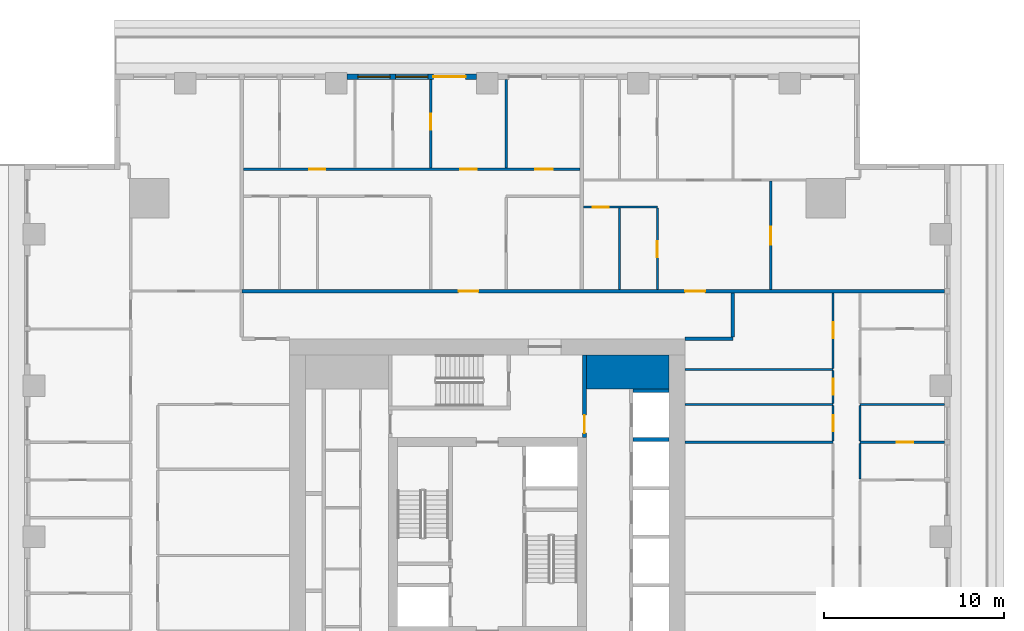
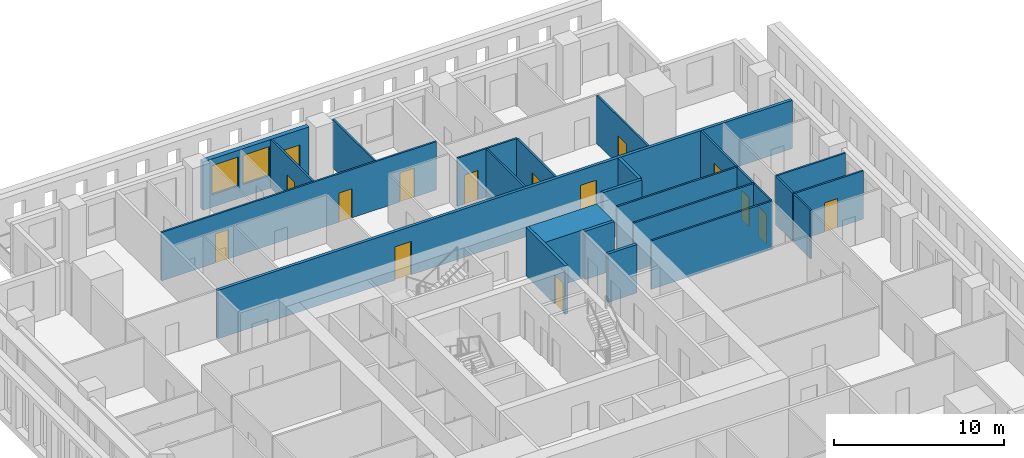
# One storey, part 8 of 15: 25 walls, 15 doors, 2 windows, 17 openings.
"""IFC4 building model written with IfcOpenShell, lengths in metres."""

from ifc_helpers import new_model, si_unit, direction, frame, frame_2d, origin, place, context, subcontext, project, spatial, rectangle, extrude, material, layer, layer_set, type_object, element, fill, save


model = new_model("IFC4")

# Units and contexts
model_context = context("Model", 3, precision=1e-05, world=origin(), true_north=direction((0.0, 1.0)))
body_context = subcontext(model_context, "Body", "Model", "MODEL_VIEW")
ifc_project = project(units=[si_unit("LENGTHUNIT", "METRE"), si_unit("AREAUNIT", "SQUARE_METRE"), si_unit("VOLUMEUNIT", "CUBIC_METRE"), si_unit("PLANEANGLEUNIT", "RADIAN"), si_unit("MASSUNIT", "GRAM", prefix="KILO")], contexts=[model_context])

# Site, building, storey
site_placement = place(None, origin())
site = spatial("IfcSite", under=ifc_project, at=site_placement, CompositionType="ELEMENT")
building_placement = place(site_placement, origin())
building = spatial("IfcBuilding", under=site, at=building_placement, Name="Khepri Terraces", CompositionType="ELEMENT")
storey_placement = place(building_placement, frame((0.0, 0.0, 244.5)))
storey = spatial("IfcBuildingStorey", under=building, at=storey_placement, Name="L58", CompositionType="ELEMENT", Elevation=244.5)

# Walls
ifc_material_1 = material(Name="Concrete C40/50", Category="concrete")
ifc_layer_1 = layer(ifc_material_1, 1.89990234375, Name="Concrete C40/50", Category="concrete")
ifc_layer_set_1 = layer_set([ifc_layer_1], Name="Concrete C40/50")
wall_type_1 = type_object("IfcWallType", Name="Core wall 1900 C40/50", PredefinedType="SHEAR", material=ifc_layer_set_1)
wall_1_placement = place(storey_placement, frame((5.5, 9.14990234375, 0.0), z_axis=(0.0, 0.0, 1.0), x_axis=(1.0, 0.0, 0.0)))
element("IfcWall", 1, at=wall_1_placement, inside=storey, type_object=wall_type_1, Name="Core wall PR04 L58", PredefinedType="SHEAR", context=body_context, shape_type="SweptSolid", body=[
    extrude(rectangle(XDim=4.60009765625, YDim=1.89990234375, at=frame_2d((2.300048828125, 0.0))), origin(), (0.0, 0.0, 1.0), 3.47998046875),
])
ifc_layer_2 = layer(ifc_material_1, 0.199951171875, Name="Concrete C40/50", Category="concrete")
ifc_layer_set_2 = layer_set([ifc_layer_2], Name="Concrete C40/50")
wall_type_2 = type_object("IfcWallType", Name="Core wall 200 C40/50", PredefinedType="SHEAR", material=ifc_layer_set_2)
for number, where, z_axis, x_axis, name in (
    (2, (8.10009765625, 5.39990234375, 0.0), (0.0, 0.0, 1.0), (1.0, 0.0, 0.0), "Core wall SH14 L58"),
    (3, (8.10009765625, 8.10009765625, 0.0), (0.0, 0.0, 1.0), (1.0, 0.0, 0.0), "Core wall SH15 L58"),
):
    element("IfcWall", number, at=place(storey_placement, frame(where, z_axis=z_axis, x_axis=x_axis)), inside=storey, type_object=wall_type_2, Name=name, PredefinedType="SHEAR", context=body_context, shape_type="SweptSolid", body=[
        extrude(rectangle(XDim=2.0, YDim=0.199951171875, at=frame_2d((1.0, 0.0))), origin(), (0.0, 0.0, 1.0), 3.47998046875),
    ])

# Wall, opening, door
ifc_material_2 = material(Name="Fire-rated gypsum board partition")
ifc_layer_3 = layer(ifc_material_2, 0.199951171875, Name="Fire-rated gypsum board partition")
ifc_layer_set_3 = layer_set([ifc_layer_3], Name="Fire-rated gypsum board partition")
wall_type_3 = type_object("IfcWallType", Name="WL-CORE-PART-200", PredefinedType="PARTITIONING", material=ifc_layer_set_3)
wall_2_placement = place(storey_placement, frame((5.39990234375, 5.5, 0.0), z_axis=(0.0, 0.0, 1.0), x_axis=(0.0, 1.0, 0.0)))
wall_2 = element("IfcWall", 4, at=wall_2_placement, inside=storey, type_object=wall_type_3, Name="Core partition PT13 L58", PredefinedType="PARTITIONING", context=body_context, shape_type="SweptSolid", body=[
    extrude(rectangle(XDim=4.60009765625, YDim=0.199951171875, at=frame_2d((2.300048828125, 0.0))), origin(), (0.0, 0.0, 1.0), 3.47998046875),
])
opening_1_placement = place(wall_2_placement, frame((0.25, 0.0, 0.0)))
opening_1 = element("IfcOpeningElement", 5, at=opening_1_placement, cuts=wall_2, Name="Opening L58-C17", PredefinedType="OPENING", context=body_context, shape_type="SweptSolid", body=[
    extrude(rectangle(XDim=1.0, YDim=2.10009765625, at=frame_2d((0.5, 1.050048828125))), frame((0.0, 0.10986328125, 0.0), z_axis=(0.0, -1.0, 0.0), x_axis=(1.0, 0.0, 0.0)), (0.0, 0.0, 1.0), 0.219970703125),
])
ifc_material_3 = material(Name="Painted steel", Category="steel")
door_type_1 = type_object("IfcDoorType", Name="DR-CORE-LOBBY-1000", OperationType="NOTDEFINED", PredefinedType="DOOR", material=ifc_material_3)
door_1_placement = place(opening_1_placement, origin())
door_1 = element("IfcDoor", 6, at=door_1_placement, inside=storey, type_object=door_type_1, Name="Lobby door L58-C17", OperationType="SINGLE_SWING_LEFT", OverallHeight=2.10009765625, OverallWidth=1.0, PredefinedType="DOOR", context=body_context, shape_type="SweptSolid", body=[
    extrude(rectangle(XDim=1.0, YDim=2.10009765625, at=frame_2d((0.5, 1.050048828125))), frame((0.0, 0.02490234375, 0.0), z_axis=(0.0, -1.0, 0.0), x_axis=(1.0, 0.0, 0.0)), (0.0, 0.0, 1.0), 0.050048828125),
])
fill(opening_1, door_1)

# Walls
ifc_material_4 = material(Name="Fire-rated gypsum plasterboard partition, mineral wool")
ifc_layer_4 = layer(ifc_material_4, 0.199951171875, Name="Fire-rated gypsum plasterboard partition, mineral wool")
ifc_layer_set_4 = layer_set([ifc_layer_4], Name="Fire-rated gypsum plasterboard partition, mineral wool")
wall_type_4 = type_object("IfcWallType", Name="WL-CORR-200", PredefinedType="PARTITIONING", material=ifc_layer_set_4)
wall_3_placement = place(storey_placement, frame((11.0, 11.0, 0.0), z_axis=(0.0, 0.0, 1.0), x_axis=(1.0, 0.0, 0.0)))
element("IfcWall", 7, at=wall_3_placement, inside=storey, type_object=wall_type_4, Name="Partition P-075 L58", PredefinedType="PARTITIONING", context=body_context, shape_type="SweptSolid", body=[
    extrude(rectangle(XDim=2.64990234375, YDim=0.199951171875, at=frame_2d((1.324951171875, 0.0))), origin(), (0.0, 0.0, 1.0), 3.47998046875),
])
wall_4_placement = place(storey_placement, frame((13.64990234375, 11.10009765625, 0.0), z_axis=(0.0, 0.0, 1.0), x_axis=(0.0, 1.0, 0.0)))
element("IfcWall", 8, at=wall_4_placement, inside=storey, type_object=wall_type_4, Name="Partition P-077 L58", PredefinedType="PARTITIONING", context=body_context, shape_type="SweptSolid", body=[
    extrude(rectangle(XDim=2.449951171875, YDim=0.199951171875, at=frame_2d((1.22509765625, 0.0))), origin(), (0.0, 0.0, 1.0), 3.47998046875),
])

# Wall, openings, doors
wall_5_placement = place(storey_placement, frame((-13.64990234375, 13.64990234375, 0.0), z_axis=(0.0, 0.0, 1.0), x_axis=(1.0, 0.0, 0.0)))
wall_5 = element("IfcWall", 9, at=wall_5_placement, inside=storey, type_object=wall_type_4, Name="Partition P-083 L58", PredefinedType="PARTITIONING", context=body_context, shape_type="SweptSolid", body=[
    extrude(rectangle(XDim=39.06982421875, YDim=0.199951171875, at=frame_2d((19.534912109375, 0.0))), origin(), (0.0, 0.0, 1.0), 3.47998046875),
])
opening_2_placement = place(wall_5_placement, frame((24.64990234375, 0.0, 0.0)))
opening_2 = element("IfcOpeningElement", 10, at=opening_2_placement, cuts=wall_5, Name="Opening D1", PredefinedType="OPENING", context=body_context, shape_type="SweptSolid", body=[
    extrude(rectangle(XDim=1.10009765625, YDim=2.39990234375, at=frame_2d((0.550048828125, 1.199951171875))), frame((0.0, 0.10986328125, 0.0), z_axis=(0.0, -1.0, 0.0), x_axis=(1.0, 0.0, 0.0)), (0.0, 0.0, 1.0), 0.219970703125),
])
opening_3_placement = place(wall_5_placement, frame((12.050048828125, 0.0, 0.0)))
opening_3 = element("IfcOpeningElement", 11, at=opening_3_placement, cuts=wall_5, Name="Opening D1", PredefinedType="OPENING", context=body_context, shape_type="SweptSolid", body=[
    extrude(rectangle(XDim=1.10009765625, YDim=2.39990234375, at=frame_2d((0.550048828125, 1.199951171875))), frame((0.0, 0.10986328125, 0.0), z_axis=(0.0, -1.0, 0.0), x_axis=(1.0, 0.0, 0.0)), (0.0, 0.0, 1.0), 0.219970703125),
])
ifc_material_5 = material(Name="Solid-core timber door leaf, flat entrance door", Category="wood")
door_type_2 = type_object("IfcDoorType", Name="DR-ENT-1100", OperationType="NOTDEFINED", PredefinedType="DOOR", material=ifc_material_5)
door_2_placement = place(opening_2_placement, origin())
door_2 = element("IfcDoor", 12, at=door_2_placement, inside=storey, type_object=door_type_2, Name="Flat C1 entrance door", OperationType="SINGLE_SWING_RIGHT", OverallHeight=2.39990234375, OverallWidth=1.10009765625, PredefinedType="DOOR", context=body_context, shape_type="SweptSolid", body=[
    extrude(rectangle(XDim=1.10009765625, YDim=2.39990234375, at=frame_2d((0.550048828125, 1.199951171875))), frame((0.0, 0.02490234375, 0.0), z_axis=(0.0, -1.0, 0.0), x_axis=(1.0, 0.0, 0.0)), (0.0, 0.0, 1.0), 0.050048828125),
])
fill(opening_2, door_2)
door_3_placement = place(opening_3_placement, origin())
door_3 = element("IfcDoor", 13, at=door_3_placement, inside=storey, type_object=door_type_2, Name="Flat C2 entrance door", OperationType="SINGLE_SWING_LEFT", OverallHeight=2.39990234375, OverallWidth=1.10009765625, PredefinedType="DOOR", context=body_context, shape_type="SweptSolid", body=[
    extrude(rectangle(XDim=1.10009765625, YDim=2.39990234375, at=frame_2d((0.550048828125, 1.199951171875))), frame((0.0, 0.02490234375, 0.0), z_axis=(0.0, -1.0, 0.0), x_axis=(1.0, 0.0, 0.0)), (0.0, 0.0, 1.0), 0.050048828125),
])
fill(opening_3, door_3)

# Wall, openings, door, windows
ifc_material_6 = material(Name="Precast concrete C50/60 warm stone", Category="masonry")
ifc_layer_5 = layer(ifc_material_6, 0.300048828125, Name="Precast concrete C50/60 warm stone", Category="masonry")
ifc_layer_set_5 = layer_set([ifc_layer_5], Name="Precast concrete C50/60 warm stone")
wall_type_5 = type_object("IfcWallType", Name="WL-EXT-PRECAST-300", PredefinedType="STANDARD", material=ifc_layer_set_5)
wall_6_placement = place(storey_placement, frame((-0.60009765625, 25.570068359375, 0.0), z_axis=(0.0, 0.0, 1.0), x_axis=(-1.0, 0.0, 0.0)))
wall_6 = element("IfcWall", 14, at=wall_6_placement, inside=storey, type_object=wall_type_5, Name="External wall L58 N", PredefinedType="STANDARD", context=body_context, shape_type="SweptSolid", body=[
    extrude(rectangle(XDim=7.199951171875, YDim=0.300048828125, at=frame_2d((3.60009765625, 0.0))), origin(), (0.0, 0.0, 1.0), 3.47998046875),
])
opening_4_placement = place(wall_6_placement, frame((0.60009765625, 0.0, 0.0)))
opening_4 = element("IfcOpeningElement", 15, at=opening_4_placement, cuts=wall_6, Name="Opening ED-L58-11", PredefinedType="OPENING", context=body_context, shape_type="SweptSolid", body=[
    extrude(rectangle(XDim=1.800048828125, YDim=2.39990234375, at=frame_2d((0.89990234375, 1.199951171875))), frame((0.0, 0.16015625, 0.0), z_axis=(0.0, -1.0, 0.0), x_axis=(1.0, 0.0, 0.0)), (0.0, 0.0, 1.0), 0.320068359375),
])
opening_5_placement = place(wall_6_placement, frame((2.699951171875, 0.0, 0.89990234375)))
opening_5 = element("IfcOpeningElement", 16, at=opening_5_placement, cuts=wall_6, Name="Opening W1", PredefinedType="OPENING", context=body_context, shape_type="SweptSolid", body=[
    extrude(rectangle(XDim=1.800048828125, YDim=2.10009765625, at=frame_2d((0.89990234375, 1.050048828125))), frame((0.0, 0.16015625, 0.0), z_axis=(0.0, -1.0, 0.0), x_axis=(1.0, 0.0, 0.0)), (0.0, 0.0, 1.0), 0.320068359375),
])
opening_6_placement = place(wall_6_placement, frame((4.800048828125, 0.0, 0.89990234375)))
opening_6 = element("IfcOpeningElement", 17, at=opening_6_placement, cuts=wall_6, Name="Opening W1", PredefinedType="OPENING", context=body_context, shape_type="SweptSolid", body=[
    extrude(rectangle(XDim=1.800048828125, YDim=2.10009765625, at=frame_2d((0.89990234375, 1.050048828125))), frame((0.0, 0.16015625, 0.0), z_axis=(0.0, -1.0, 0.0), x_axis=(1.0, 0.0, 0.0)), (0.0, 0.0, 1.0), 0.320068359375),
])
ifc_material_7 = material(Name="Anodised aluminium bronze glazed door", Category="aluminium")
door_type_3 = type_object("IfcDoorType", Name="DR-BAL-SLIDE-1800x2400", OperationType="NOTDEFINED", PredefinedType="DOOR", material=ifc_material_7)
door_4_placement = place(opening_4_placement, origin())
door_4 = element("IfcDoor", 18, at=door_4_placement, inside=storey, type_object=door_type_3, Name="Balcony door L58 N", OperationType="SLIDING_TO_LEFT", OverallHeight=2.39990234375, OverallWidth=1.800048828125, PredefinedType="DOOR", context=body_context, shape_type="SweptSolid", body=[
    extrude(rectangle(XDim=1.800048828125, YDim=2.39990234375, at=frame_2d((0.89990234375, 1.199951171875))), frame((0.0, 0.02490234375, 0.0), z_axis=(0.0, -1.0, 0.0), x_axis=(1.0, 0.0, 0.0)), (0.0, 0.0, 1.0), 0.050048828125),
])
fill(opening_4, door_4)
ifc_material_8 = material(Name="Clear glass", Category="glass")
window_type = type_object("IfcWindowType", Name="WIN-RES-1800x2100", PartitioningType="SINGLE_PANEL", PredefinedType="WINDOW", material=ifc_material_8)
window_1_placement = place(opening_5_placement, origin())
window_1 = element("IfcWindow", 19, at=window_1_placement, inside=storey, type_object=window_type, Name="Window L58 N", OverallHeight=2.10009765625, OverallWidth=1.800048828125, PartitioningType="SINGLE_PANEL", PredefinedType="WINDOW", context=body_context, shape_type="SweptSolid", body=[
    extrude(rectangle(XDim=1.800048828125, YDim=2.10009765625, at=frame_2d((0.89990234375, 1.050048828125))), frame((0.0, 0.030029296875, 0.0), z_axis=(0.0, -1.0, 0.0), x_axis=(1.0, 0.0, 0.0)), (0.0, 0.0, 1.0), 0.06005859375),
])
fill(opening_5, window_1)
window_2_placement = place(opening_6_placement, origin())
window_2 = element("IfcWindow", 20, at=window_2_placement, inside=storey, type_object=window_type, Name="Window L58 N", OverallHeight=2.10009765625, OverallWidth=1.800048828125, PartitioningType="SINGLE_PANEL", PredefinedType="WINDOW", context=body_context, shape_type="SweptSolid", body=[
    extrude(rectangle(XDim=1.800048828125, YDim=2.10009765625, at=frame_2d((0.89990234375, 1.050048828125))), frame((0.0, 0.030029296875, 0.0), z_axis=(0.0, -1.0, 0.0), x_axis=(1.0, 0.0, 0.0)), (0.0, 0.0, 1.0), 0.06005859375),
])
fill(opening_6, window_2)

# Walls
ifc_material_9 = material(Name="Gypsum plasterboard partition")
ifc_layer_6 = layer(ifc_material_9, 0.1201171875, Name="Gypsum plasterboard partition")
ifc_layer_set_6 = layer_set([ifc_layer_6], Name="Gypsum plasterboard partition")
wall_type_6 = type_object("IfcWallType", Name="WL-PART-120", PredefinedType="PARTITIONING", material=ifc_layer_set_6)
wall_7_placement = place(storey_placement, frame((20.719970703125, 3.2099609375, 0.0), z_axis=(0.0, 0.0, 1.0), x_axis=(0.0, 1.0, 0.0)))
element("IfcWall", 21, at=wall_7_placement, inside=storey, type_object=wall_type_6, Name="Partition P-058 L58", PredefinedType="PARTITIONING", context=body_context, shape_type="SweptSolid", body=[
    extrude(rectangle(XDim=1.97998046875, YDim=0.1201171875, at=frame_2d((0.989990234375, 0.0))), origin(), (0.0, 0.0, 1.0), 3.47998046875),
])
wall_8_placement = place(storey_placement, frame((11.0, 5.25, 0.0), z_axis=(0.0, 0.0, 1.0), x_axis=(1.0, 0.0, 0.0)))
element("IfcWall", 22, at=wall_8_placement, inside=storey, type_object=wall_type_6, Name="Partition P-062 L58", PredefinedType="PARTITIONING", context=body_context, shape_type="SweptSolid", body=[
    extrude(rectangle(XDim=8.219970703125, YDim=0.1201171875, at=frame_2d((4.10986328125, 0.0))), origin(), (0.0, 0.0, 1.0), 3.47998046875),
])

# Wall, opening, door
wall_9_placement = place(storey_placement, frame((20.719970703125, 5.25, 0.0), z_axis=(0.0, 0.0, 1.0), x_axis=(1.0, 0.0, 0.0)))
wall_9 = element("IfcWall", 23, at=wall_9_placement, inside=storey, type_object=wall_type_6, Name="Partition P-063 L58", PredefinedType="PARTITIONING", context=body_context, shape_type="SweptSolid", body=[
    extrude(rectangle(XDim=4.699951171875, YDim=0.1201171875, at=frame_2d((2.35009765625, 0.0))), origin(), (0.0, 0.0, 1.0), 3.47998046875),
])
opening_7_placement = place(wall_9_placement, frame((2.050048828125, 0.0, 0.0)))
opening_7 = element("IfcOpeningElement", 24, at=opening_7_placement, cuts=wall_9, Name="Opening D4", PredefinedType="OPENING", context=body_context, shape_type="SweptSolid", body=[
    extrude(rectangle(XDim=0.89990234375, YDim=2.10009765625, at=frame_2d((0.449951171875, 1.050048828125))), frame((0.0, 0.070068359375, 0.0), z_axis=(0.0, -1.0, 0.0), x_axis=(1.0, 0.0, 0.0)), (0.0, 0.0, 1.0), 0.14013671875),
])
ifc_material_10 = material(Name="Timber door leaf, moisture resistant", Category="wood")
door_type_4 = type_object("IfcDoorType", Name="DR-WET-900", OperationType="NOTDEFINED", PredefinedType="DOOR", material=ifc_material_10)
door_5_placement = place(opening_7_placement, origin())
door_5 = element("IfcDoor", 25, at=door_5_placement, inside=storey, type_object=door_type_4, Name="Door Bathroom", OperationType="SINGLE_SWING_RIGHT", OverallHeight=2.10009765625, OverallWidth=0.89990234375, PredefinedType="DOOR", context=body_context, shape_type="SweptSolid", body=[
    extrude(rectangle(XDim=0.89990234375, YDim=2.10009765625, at=frame_2d((0.449951171875, 1.050048828125))), frame((0.0, 0.02490234375, 0.0), z_axis=(0.0, -1.0, 0.0), x_axis=(1.0, 0.0, 0.0)), (0.0, 0.0, 1.0), 0.050048828125),
])
fill(opening_7, door_5)

wall_10_placement = place(storey_placement, frame((19.219970703125, 5.31005859375, 0.0), z_axis=(0.0, 0.0, 1.0), x_axis=(0.0, 1.0, 0.0)))
wall_10 = element("IfcWall", 26, at=wall_10_placement, inside=storey, type_object=wall_type_6, Name="Partition P-065 L58", PredefinedType="PARTITIONING", context=body_context, shape_type="SweptSolid", body=[
    extrude(rectangle(XDim=1.97998046875, YDim=0.1201171875, at=frame_2d((0.989990234375, 0.0))), origin(), (0.0, 0.0, 1.0), 3.47998046875),
])
opening_8_placement = place(wall_10_placement, frame((0.5400390625, 0.0, 0.0)))
opening_8 = element("IfcOpeningElement", 27, at=opening_8_placement, cuts=wall_10, Name="Opening D4", PredefinedType="OPENING", context=body_context, shape_type="SweptSolid", body=[
    extrude(rectangle(XDim=0.89990234375, YDim=2.10009765625, at=frame_2d((0.449951171875, 1.050048828125))), frame((0.0, 0.070068359375, 0.0), z_axis=(0.0, -1.0, 0.0), x_axis=(1.0, 0.0, 0.0)), (0.0, 0.0, 1.0), 0.14013671875),
])
door_6_placement = place(opening_8_placement, origin())
door_6 = element("IfcDoor", 28, at=door_6_placement, inside=storey, type_object=door_type_4, Name="Door Powder Room", OperationType="SINGLE_SWING_RIGHT", OverallHeight=2.10009765625, OverallWidth=0.89990234375, PredefinedType="DOOR", context=body_context, shape_type="SweptSolid", body=[
    extrude(rectangle(XDim=0.89990234375, YDim=2.10009765625, at=frame_2d((0.449951171875, 1.050048828125))), frame((0.0, 0.02490234375, 0.0), z_axis=(0.0, -1.0, 0.0), x_axis=(1.0, 0.0, 0.0)), (0.0, 0.0, 1.0), 0.050048828125),
])
fill(opening_8, door_6)

# Walls
wall_11_placement = place(storey_placement, frame((20.719970703125, 5.31005859375, 0.0), z_axis=(0.0, 0.0, 1.0), x_axis=(0.0, 1.0, 0.0)))
element("IfcWall", 29, at=wall_11_placement, inside=storey, type_object=wall_type_6, Name="Partition P-066 L58", PredefinedType="PARTITIONING", context=body_context, shape_type="SweptSolid", body=[
    extrude(rectangle(XDim=1.97998046875, YDim=0.1201171875, at=frame_2d((0.989990234375, 0.0))), origin(), (0.0, 0.0, 1.0), 3.47998046875),
])
wall_12_placement = place(storey_placement, frame((11.0, 7.35009765625, 0.0), z_axis=(0.0, 0.0, 1.0), x_axis=(1.0, 0.0, 0.0)))
element("IfcWall", 30, at=wall_12_placement, inside=storey, type_object=wall_type_6, Name="Partition P-068 L58", PredefinedType="PARTITIONING", context=body_context, shape_type="SweptSolid", body=[
    extrude(rectangle(XDim=8.219970703125, YDim=0.1201171875, at=frame_2d((4.10986328125, 0.0))), origin(), (0.0, 0.0, 1.0), 3.47998046875),
])
wall_13_placement = place(storey_placement, frame((20.719970703125, 7.35009765625, 0.0), z_axis=(0.0, 0.0, 1.0), x_axis=(1.0, 0.0, 0.0)))
element("IfcWall", 31, at=wall_13_placement, inside=storey, type_object=wall_type_6, Name="Partition P-069 L58", PredefinedType="PARTITIONING", context=body_context, shape_type="SweptSolid", body=[
    extrude(rectangle(XDim=4.699951171875, YDim=0.1201171875, at=frame_2d((2.35009765625, 0.0))), origin(), (0.0, 0.0, 1.0), 3.47998046875),
])

# Wall, opening, door
wall_14_placement = place(storey_placement, frame((19.219970703125, 7.409912109375, 0.0), z_axis=(0.0, 0.0, 1.0), x_axis=(0.0, 1.0, 0.0)))
wall_14 = element("IfcWall", 32, at=wall_14_placement, inside=storey, type_object=wall_type_6, Name="Partition P-070 L58", PredefinedType="PARTITIONING", context=body_context, shape_type="SweptSolid", body=[
    extrude(rectangle(XDim=1.830078125, YDim=0.1201171875, at=frame_2d((0.9150390625, 0.0))), origin(), (0.0, 0.0, 1.0), 3.47998046875),
])
opening_9_placement = place(wall_14_placement, frame((0.465087890625, 0.0, 0.0)))
opening_9 = element("IfcOpeningElement", 33, at=opening_9_placement, cuts=wall_14, Name="Opening D4", PredefinedType="OPENING", context=body_context, shape_type="SweptSolid", body=[
    extrude(rectangle(XDim=0.89990234375, YDim=2.10009765625, at=frame_2d((0.449951171875, 1.050048828125))), frame((0.0, 0.070068359375, 0.0), z_axis=(0.0, -1.0, 0.0), x_axis=(1.0, 0.0, 0.0)), (0.0, 0.0, 1.0), 0.14013671875),
])
door_7_placement = place(opening_9_placement, origin())
door_7 = element("IfcDoor", 34, at=door_7_placement, inside=storey, type_object=door_type_4, Name="Door Guest Bathroom", OperationType="SINGLE_SWING_LEFT", OverallHeight=2.10009765625, OverallWidth=0.89990234375, PredefinedType="DOOR", context=body_context, shape_type="SweptSolid", body=[
    extrude(rectangle(XDim=0.89990234375, YDim=2.10009765625, at=frame_2d((0.449951171875, 1.050048828125))), frame((0.0, 0.02490234375, 0.0), z_axis=(0.0, -1.0, 0.0), x_axis=(1.0, 0.0, 0.0)), (0.0, 0.0, 1.0), 0.050048828125),
])
fill(opening_9, door_7)

# Wall
wall_15_placement = place(storey_placement, frame((11.0, 9.300048828125, 0.0), z_axis=(0.0, 0.0, 1.0), x_axis=(1.0, 0.0, 0.0)))
element("IfcWall", 35, at=wall_15_placement, inside=storey, type_object=wall_type_6, Name="Partition P-072 L58", PredefinedType="PARTITIONING", context=body_context, shape_type="SweptSolid", body=[
    extrude(rectangle(XDim=8.219970703125, YDim=0.1201171875, at=frame_2d((4.10986328125, 0.0))), origin(), (0.0, 0.0, 1.0), 3.47998046875),
])

# Wall, opening, door
wall_16_placement = place(storey_placement, frame((19.219970703125, 9.360107421875, 0.0), z_axis=(0.0, 0.0, 1.0), x_axis=(0.0, 1.0, 0.0)))
wall_16 = element("IfcWall", 36, at=wall_16_placement, inside=storey, type_object=wall_type_6, Name="Partition P-073 L58", PredefinedType="PARTITIONING", context=body_context, shape_type="SweptSolid", body=[
    extrude(rectangle(XDim=4.18994140625, YDim=0.1201171875, at=frame_2d((2.094970703125, 0.0))), origin(), (0.0, 0.0, 1.0), 3.47998046875),
])
opening_10_placement = place(wall_16_placement, frame((1.6650390625, 0.0, 0.0)))
opening_10 = element("IfcOpeningElement", 37, at=opening_10_placement, cuts=wall_16, Name="Opening D3", PredefinedType="OPENING", context=body_context, shape_type="SweptSolid", body=[
    extrude(rectangle(XDim=0.89990234375, YDim=2.10009765625, at=frame_2d((0.449951171875, 1.050048828125))), frame((0.0, 0.070068359375, 0.0), z_axis=(0.0, -1.0, 0.0), x_axis=(1.0, 0.0, 0.0)), (0.0, 0.0, 1.0), 0.14013671875),
])
ifc_material_11 = material(Name="Timber door leaf", Category="wood")
door_type_5 = type_object("IfcDoorType", Name="DR-INT-900", OperationType="NOTDEFINED", PredefinedType="DOOR", material=ifc_material_11)
door_8_placement = place(opening_10_placement, origin())
door_8 = element("IfcDoor", 38, at=door_8_placement, inside=storey, type_object=door_type_5, Name="Door Library", OperationType="SINGLE_SWING_RIGHT", OverallHeight=2.10009765625, OverallWidth=0.89990234375, PredefinedType="DOOR", context=body_context, shape_type="SweptSolid", body=[
    extrude(rectangle(XDim=0.89990234375, YDim=2.10009765625, at=frame_2d((0.449951171875, 1.050048828125))), frame((0.0, 0.02490234375, 0.0), z_axis=(0.0, -1.0, 0.0), x_axis=(1.0, 0.0, 0.0)), (0.0, 0.0, 1.0), 0.050048828125),
])
fill(opening_10, door_8)

# Wall
wall_17_placement = place(storey_placement, frame((7.35009765625, 13.75, 0.0), z_axis=(0.0, 0.0, 1.0), x_axis=(0.0, 1.0, 0.0)))
element("IfcWall", 39, at=wall_17_placement, inside=storey, type_object=wall_type_6, Name="Partition P-091 L58", PredefinedType="PARTITIONING", context=body_context, shape_type="SweptSolid", body=[
    extrude(rectangle(XDim=4.510009765625, YDim=0.1201171875, at=frame_2d((2.2548828125, 0.0))), origin(), (0.0, 0.0, 1.0), 3.47998046875),
])

# Wall, opening, door
wall_18_placement = place(storey_placement, frame((9.449951171875, 13.75, 0.0), z_axis=(0.0, 0.0, 1.0), x_axis=(0.0, 1.0, 0.0)))
wall_18 = element("IfcWall", 40, at=wall_18_placement, inside=storey, type_object=wall_type_6, Name="Partition P-092 L58", PredefinedType="PARTITIONING", context=body_context, shape_type="SweptSolid", body=[
    extrude(rectangle(XDim=4.510009765625, YDim=0.1201171875, at=frame_2d((2.2548828125, 0.0))), origin(), (0.0, 0.0, 1.0), 3.47998046875),
])
opening_11_placement = place(wall_18_placement, frame((1.784912109375, 0.0, 0.0)))
opening_11 = element("IfcOpeningElement", 41, at=opening_11_placement, cuts=wall_18, Name="Opening D4", PredefinedType="OPENING", context=body_context, shape_type="SweptSolid", body=[
    extrude(rectangle(XDim=0.89990234375, YDim=2.10009765625, at=frame_2d((0.449951171875, 1.050048828125))), frame((0.0, 0.070068359375, 0.0), z_axis=(0.0, -1.0, 0.0), x_axis=(1.0, 0.0, 0.0)), (0.0, 0.0, 1.0), 0.14013671875),
])
door_9_placement = place(opening_11_placement, origin())
door_9 = element("IfcDoor", 42, at=door_9_placement, inside=storey, type_object=door_type_4, Name="Door Guest Bathroom", OperationType="SINGLE_SWING_LEFT", OverallHeight=2.10009765625, OverallWidth=0.89990234375, PredefinedType="DOOR", context=body_context, shape_type="SweptSolid", body=[
    extrude(rectangle(XDim=0.89990234375, YDim=2.10009765625, at=frame_2d((0.449951171875, 1.050048828125))), frame((0.0, 0.02490234375, 0.0), z_axis=(0.0, -1.0, 0.0), x_axis=(1.0, 0.0, 0.0)), (0.0, 0.0, 1.0), 0.050048828125),
])
fill(opening_11, door_9)

wall_19_placement = place(storey_placement, frame((15.75, 13.75, 0.0), z_axis=(0.0, 0.0, 1.0), x_axis=(0.0, 1.0, 0.0)))
wall_19 = element("IfcWall", 43, at=wall_19_placement, inside=storey, type_object=wall_type_6, Name="Partition P-093 L58", PredefinedType="PARTITIONING", context=body_context, shape_type="SweptSolid", body=[
    extrude(rectangle(XDim=6.010009765625, YDim=0.1201171875, at=frame_2d((3.0048828125, 0.0))), origin(), (0.0, 0.0, 1.0), 3.47998046875),
])
opening_12_placement = place(wall_19_placement, frame((2.485107421875, 0.0, 0.0)))
opening_12 = element("IfcOpeningElement", 44, at=opening_12_placement, cuts=wall_19, Name="Opening D2", PredefinedType="OPENING", context=body_context, shape_type="SweptSolid", body=[
    extrude(rectangle(XDim=1.0, YDim=2.10009765625, at=frame_2d((0.5, 1.050048828125))), frame((0.0, 0.070068359375, 0.0), z_axis=(0.0, -1.0, 0.0), x_axis=(1.0, 0.0, 0.0)), (0.0, 0.0, 1.0), 0.14013671875),
])
ifc_material_12 = material(Name="Timber door leaf, living room door", Category="wood")
door_type_6 = type_object("IfcDoorType", Name="DR-INT-1000", OperationType="NOTDEFINED", PredefinedType="DOOR", material=ifc_material_12)
door_10_placement = place(opening_12_placement, frame((1.0, 0.0, 0.0), z_axis=(0.0, 0.0, 1.0), x_axis=(-1.0, 0.0, 0.0)))
door_10 = element("IfcDoor", 45, at=door_10_placement, inside=storey, type_object=door_type_6, Name="Door Family Room", OperationType="SINGLE_SWING_RIGHT", OverallHeight=2.10009765625, OverallWidth=1.0, PredefinedType="DOOR", context=body_context, shape_type="SweptSolid", body=[
    extrude(rectangle(XDim=1.0, YDim=2.10009765625, at=frame_2d((0.5, 1.050048828125))), frame((0.0, 0.02490234375, 0.0), z_axis=(0.0, -1.0, 0.0), x_axis=(1.0, 0.0, 0.0)), (0.0, 0.0, 1.0), 0.050048828125),
])
fill(opening_12, door_10)

wall_20_placement = place(storey_placement, frame((5.35009765625, 18.320068359375, 0.0), z_axis=(0.0, 0.0, 1.0), x_axis=(1.0, 0.0, 0.0)))
wall_20 = element("IfcWall", 46, at=wall_20_placement, inside=storey, type_object=wall_type_6, Name="Partition P-094 L58", PredefinedType="PARTITIONING", context=body_context, shape_type="SweptSolid", body=[
    extrude(rectangle(XDim=4.099853515625, YDim=0.1201171875, at=frame_2d((2.0498046875, 0.0))), origin(), (0.0, 0.0, 1.0), 3.47998046875),
])
opening_13_placement = place(wall_20_placement, frame((0.5, 0.0, 0.0)))
opening_13 = element("IfcOpeningElement", 47, at=opening_13_placement, cuts=wall_20, Name="Opening D3", PredefinedType="OPENING", context=body_context, shape_type="SweptSolid", body=[
    extrude(rectangle(XDim=0.89990234375, YDim=2.10009765625, at=frame_2d((0.449951171875, 1.050048828125))), frame((0.0, 0.070068359375, 0.0), z_axis=(0.0, -1.0, 0.0), x_axis=(1.0, 0.0, 0.0)), (0.0, 0.0, 1.0), 0.14013671875),
])
door_11_placement = place(opening_13_placement, frame((0.89990234375, 0.0, 0.0), z_axis=(0.0, 0.0, 1.0), x_axis=(-1.0, 0.0, 0.0)))
door_11 = element("IfcDoor", 48, at=door_11_placement, inside=storey, type_object=door_type_5, Name="Door Kitchen", OperationType="SINGLE_SWING_RIGHT", OverallHeight=2.10009765625, OverallWidth=0.89990234375, PredefinedType="DOOR", context=body_context, shape_type="SweptSolid", body=[
    extrude(rectangle(XDim=0.89990234375, YDim=2.10009765625, at=frame_2d((0.449951171875, 1.050048828125))), frame((0.0, 0.02490234375, 0.0), z_axis=(0.0, -1.0, 0.0), x_axis=(1.0, 0.0, 0.0)), (0.0, 0.0, 1.0), 0.050048828125),
])
fill(opening_13, door_11)

# Wall, openings, doors
wall_21_placement = place(storey_placement, frame((-13.550048828125, 20.419921875, 0.0), z_axis=(0.0, 0.0, 1.0), x_axis=(1.0, 0.0, 0.0)))
wall_21 = element("IfcWall", 49, at=wall_21_placement, inside=storey, type_object=wall_type_6, Name="Partition P-104 L58", PredefinedType="PARTITIONING", context=body_context, shape_type="SweptSolid", body=[
    extrude(rectangle(XDim=18.699951171875, YDim=0.1201171875, at=frame_2d((9.35009765625, 0.0))), origin(), (0.0, 0.0, 1.0), 3.47998046875),
])
opening_14_placement = place(wall_21_placement, frame((16.199951171875, 0.0, 0.0)))
opening_14 = element("IfcOpeningElement", 50, at=opening_14_placement, cuts=wall_21, Name="Opening D2", PredefinedType="OPENING", context=body_context, shape_type="SweptSolid", body=[
    extrude(rectangle(XDim=1.0, YDim=2.10009765625, at=frame_2d((0.5, 1.050048828125))), frame((0.0, 0.070068359375, 0.0), z_axis=(0.0, -1.0, 0.0), x_axis=(1.0, 0.0, 0.0)), (0.0, 0.0, 1.0), 0.14013671875),
])
opening_15_placement = place(wall_21_placement, frame((12.050048828125, 0.0, 0.0)))
opening_15 = element("IfcOpeningElement", 51, at=opening_15_placement, cuts=wall_21, Name="Opening D3", PredefinedType="OPENING", context=body_context, shape_type="SweptSolid", body=[
    extrude(rectangle(XDim=0.89990234375, YDim=2.10009765625, at=frame_2d((0.449951171875, 1.050048828125))), frame((0.0, 0.070068359375, 0.0), z_axis=(0.0, -1.0, 0.0), x_axis=(1.0, 0.0, 0.0)), (0.0, 0.0, 1.0), 0.14013671875),
])
opening_16_placement = place(wall_21_placement, frame((3.64990234375, 0.0, 0.0)))
opening_16 = element("IfcOpeningElement", 52, at=opening_16_placement, cuts=wall_21, Name="Opening D3", PredefinedType="OPENING", context=body_context, shape_type="SweptSolid", body=[
    extrude(rectangle(XDim=0.89990234375, YDim=2.10009765625, at=frame_2d((0.449951171875, 1.050048828125))), frame((0.0, 0.070068359375, 0.0), z_axis=(0.0, -1.0, 0.0), x_axis=(1.0, 0.0, 0.0)), (0.0, 0.0, 1.0), 0.14013671875),
])
door_12_placement = place(opening_14_placement, origin())
door_12 = element("IfcDoor", 53, at=door_12_placement, inside=storey, type_object=door_type_6, Name="Door Living Room", OperationType="SINGLE_SWING_RIGHT", OverallHeight=2.10009765625, OverallWidth=1.0, PredefinedType="DOOR", context=body_context, shape_type="SweptSolid", body=[
    extrude(rectangle(XDim=1.0, YDim=2.10009765625, at=frame_2d((0.5, 1.050048828125))), frame((0.0, 0.02490234375, 0.0), z_axis=(0.0, -1.0, 0.0), x_axis=(1.0, 0.0, 0.0)), (0.0, 0.0, 1.0), 0.050048828125),
])
fill(opening_14, door_12)
door_13_placement = place(opening_15_placement, origin())
door_13 = element("IfcDoor", 54, at=door_13_placement, inside=storey, type_object=door_type_5, Name="Door Master Bedroom", OperationType="SINGLE_SWING_RIGHT", OverallHeight=2.10009765625, OverallWidth=0.89990234375, PredefinedType="DOOR", context=body_context, shape_type="SweptSolid", body=[
    extrude(rectangle(XDim=0.89990234375, YDim=2.10009765625, at=frame_2d((0.449951171875, 1.050048828125))), frame((0.0, 0.02490234375, 0.0), z_axis=(0.0, -1.0, 0.0), x_axis=(1.0, 0.0, 0.0)), (0.0, 0.0, 1.0), 0.050048828125),
])
fill(opening_15, door_13)
door_14_placement = place(opening_16_placement, origin())
door_14 = element("IfcDoor", 55, at=door_14_placement, inside=storey, type_object=door_type_5, Name="Door Bedroom", OperationType="SINGLE_SWING_LEFT", OverallHeight=2.10009765625, OverallWidth=0.89990234375, PredefinedType="DOOR", context=body_context, shape_type="SweptSolid", body=[
    extrude(rectangle(XDim=0.89990234375, YDim=2.10009765625, at=frame_2d((0.449951171875, 1.050048828125))), frame((0.0, 0.02490234375, 0.0), z_axis=(0.0, -1.0, 0.0), x_axis=(1.0, 0.0, 0.0)), (0.0, 0.0, 1.0), 0.050048828125),
])
fill(opening_16, door_14)

# Wall, opening, door
wall_22_placement = place(storey_placement, frame((-3.14990234375, 20.47998046875, 0.0), z_axis=(0.0, 0.0, 1.0), x_axis=(0.0, 1.0, 0.0)))
wall_22 = element("IfcWall", 56, at=wall_22_placement, inside=storey, type_object=wall_type_6, Name="Partition P-108 L58", PredefinedType="PARTITIONING", context=body_context, shape_type="SweptSolid", body=[
    extrude(rectangle(XDim=4.93994140625, YDim=0.1201171875, at=frame_2d((2.469970703125, 0.0))), origin(), (0.0, 0.0, 1.0), 3.47998046875),
])
opening_17_placement = place(wall_22_placement, frame((2.139892578125, 0.0, 0.0)))
opening_17 = element("IfcOpeningElement", 57, at=opening_17_placement, cuts=wall_22, Name="Opening D3", PredefinedType="OPENING", context=body_context, shape_type="SweptSolid", body=[
    extrude(rectangle(XDim=0.89990234375, YDim=2.10009765625, at=frame_2d((0.449951171875, 1.050048828125))), frame((0.0, 0.070068359375, 0.0), z_axis=(0.0, -1.0, 0.0), x_axis=(1.0, 0.0, 0.0)), (0.0, 0.0, 1.0), 0.14013671875),
])
door_15_placement = place(opening_17_placement, origin())
door_15 = element("IfcDoor", 58, at=door_15_placement, inside=storey, type_object=door_type_5, Name="Door Dressing Room", OperationType="SINGLE_SWING_RIGHT", OverallHeight=2.10009765625, OverallWidth=0.89990234375, PredefinedType="DOOR", context=body_context, shape_type="SweptSolid", body=[
    extrude(rectangle(XDim=0.89990234375, YDim=2.10009765625, at=frame_2d((0.449951171875, 1.050048828125))), frame((0.0, 0.02490234375, 0.0), z_axis=(0.0, -1.0, 0.0), x_axis=(1.0, 0.0, 0.0)), (0.0, 0.0, 1.0), 0.050048828125),
])
fill(opening_17, door_15)

# Wall
wall_23_placement = place(storey_placement, frame((1.050048828125, 20.47998046875, 0.0), z_axis=(0.0, 0.0, 1.0), x_axis=(0.0, 1.0, 0.0)))
element("IfcWall", 59, at=wall_23_placement, inside=storey, type_object=wall_type_6, Name="Partition P-109 L58", PredefinedType="PARTITIONING", context=body_context, shape_type="SweptSolid", body=[
    extrude(rectangle(XDim=4.93994140625, YDim=0.1201171875, at=frame_2d((2.469970703125, 0.0))), origin(), (0.0, 0.0, 1.0), 3.47998046875),
])

save(model, "model.ifc")
